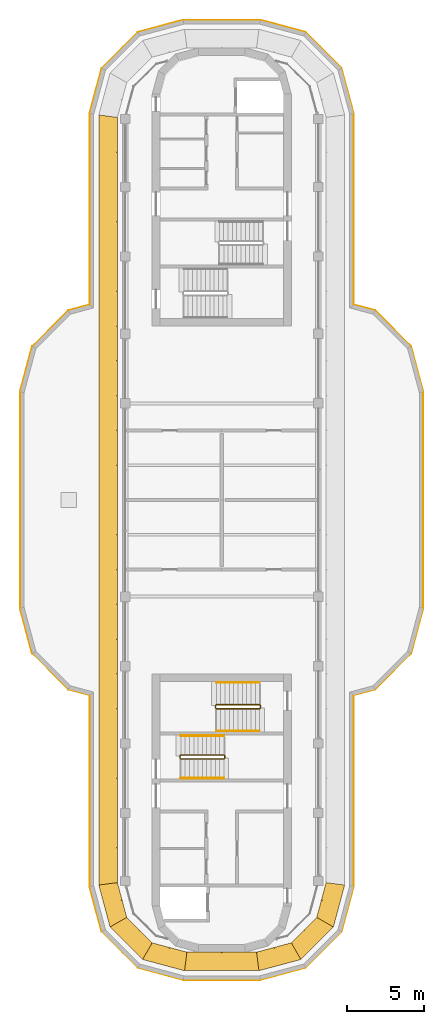
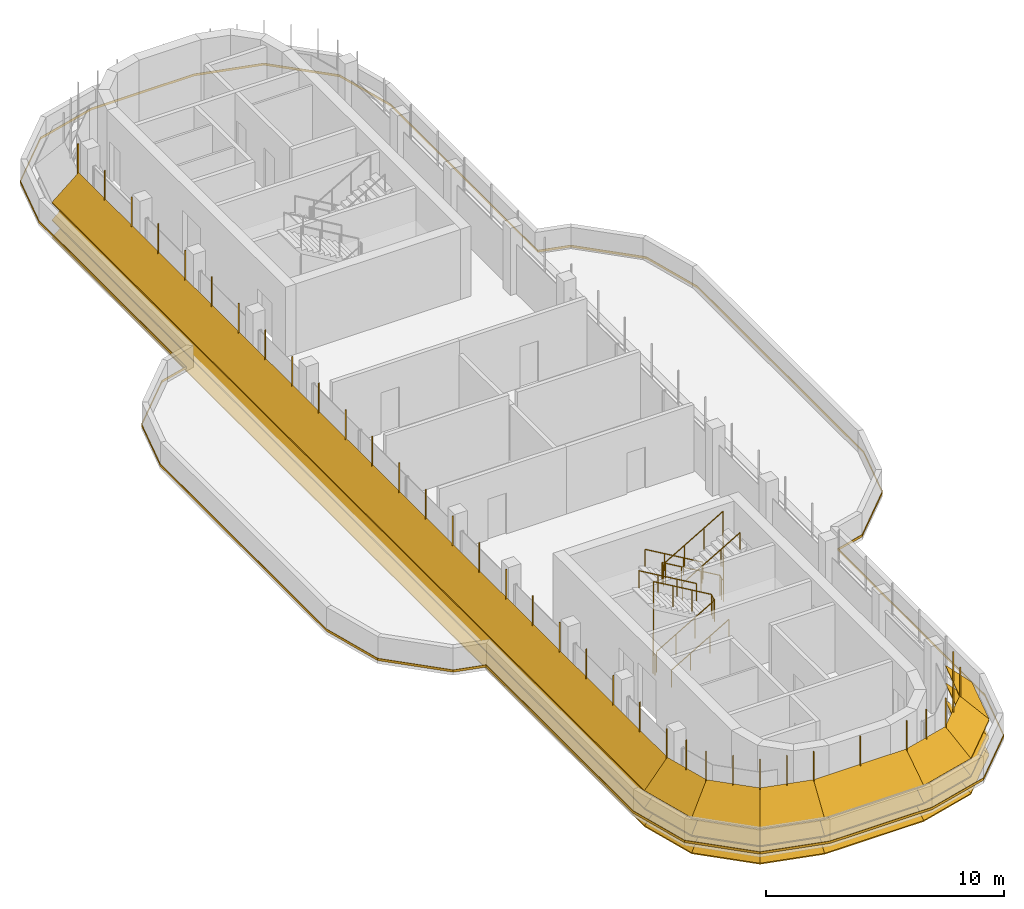
# One storey, part 11 of 12: 6 railings, 4 shading devices, 1 covering.
"""IFC4 building model written with IfcOpenShell, lengths in metres."""

from ifc_helpers import new_model, si_unit, direction, frame, origin, origin_2d, place, context, subcontext, project, spatial, polyline, circle, outline, extrude, faceted_brep, source, transform, mapped, material, layer, layer_set, type_object, element, save


model = new_model("IFC4")

# Units and contexts
model_context = context("Model", 3, precision=1e-05, world=origin(), true_north=direction((0.0, 1.0)))
body_context = subcontext(model_context, "Body", "Model", "MODEL_VIEW")
ifc_project = project(units=[si_unit("LENGTHUNIT", "METRE"), si_unit("AREAUNIT", "SQUARE_METRE"), si_unit("VOLUMEUNIT", "CUBIC_METRE"), si_unit("PLANEANGLEUNIT", "RADIAN"), si_unit("MASSUNIT", "GRAM", prefix="KILO")], contexts=[model_context])

# Site, building, storey
site_placement = place(None, origin())
site = spatial("IfcSite", under=ifc_project, at=site_placement, CompositionType="ELEMENT")
building_placement = place(site_placement, origin())
building = spatial("IfcBuilding", under=site, at=building_placement, Name="Zarbagh Exchange Tower", CompositionType="ELEMENT")
storey_placement = place(building_placement, frame((0.0, 0.0, 306.0)))
storey = spatial("IfcBuildingStorey", under=building, at=storey_placement, Name="L75", CompositionType="ELEMENT", Elevation=306.0)

# Railings
ifc_material_1 = material(Name="Stainless steel", Category="steel")
railing_type_1 = type_object("IfcRailingType", Name="Stair guard 1100 mm", PredefinedType="GUARDRAIL", material=ifc_material_1)
railing_1_placement = place(storey_placement, frame((-2.64990234375, -16.75, 0.16357421875)))
element("IfcRailing", 1, at=railing_1_placement, inside=storey, type_object=railing_type_1, Name="ST3 stair guard 1", PredefinedType="GUARDRAIL", context=body_context, shape_type="SweptSolid", body=[
    extrude(circle(Radius=0.02392578125, at=origin_2d()), frame((0.0, 0.0, 1.076171875), z_axis=(0.863341702679, 0.0, 0.504619762213), x_axis=(0.0, 1.0, 0.0)), (0.0, 0.0, 1.0), 3.242919921875),
    extrude(circle(Radius=0.02392578125, at=origin_2d()), frame((2.7998046875, 0.0, 2.71240234375), z_axis=(0.707106781187, 0.707106781187, 0.0), x_axis=(-0.707106781187, 0.707106781187, 0.0)), (0.0, 0.0, 1.0), 0.07080078125),
    extrude(circle(Radius=0.02392578125, at=origin_2d()), frame((2.849853515625, 0.050048828125, 2.71240234375), z_axis=(0.0, 1.0, 0.0), x_axis=(-1.0, 0.0, 0.0)), (0.0, 0.0, 1.0), 0.14990234375),
    extrude(circle(Radius=0.02392578125, at=origin_2d()), frame((2.849853515625, 0.199951171875, 2.71240234375), z_axis=(-0.280808744504, 0.280808744504, 0.917765164963), x_axis=(-0.707106781187, -0.707106781187, 0.0)), (0.0, 0.0, 1.0), 0.17822265625),
    extrude(circle(Radius=0.02392578125, at=origin_2d()), frame((2.7998046875, 0.25, 2.8759765625), z_axis=(-0.863341702679, 0.0, 0.504619762213), x_axis=(0.0, -1.0, 0.0)), (0.0, 0.0, 1.0), 3.242919921875),
    extrude(circle(Radius=0.02392578125, at=origin_2d()), frame((0.0, 0.25, 4.5126953125), z_axis=(-0.013899389096, -0.013899389096, -0.999806788317), x_axis=(0.707106781187, -0.707106781187, 0.0)), (0.0, 0.0, 1.0), 3.600830078125),
    extrude(circle(Radius=0.02392578125, at=origin_2d()), frame((-0.050048828125, 0.199951171875, 0.91259765625), z_axis=(0.0, -1.0, 0.0), x_axis=(1.0, 0.0, 0.0)), (0.0, 0.0, 1.0), 0.14990234375),
    extrude(circle(Radius=0.02099609375, at=origin_2d()), origin(), (0.0, 0.0, 1.0), 1.052001953125),
    extrude(circle(Radius=0.02099609375, at=origin_2d()), frame((0.933349609375, 0.0, 0.54541015625)), (0.0, 0.0, 1.0), 1.052001953125),
    extrude(circle(Radius=0.02099609375, at=origin_2d()), frame((1.866455078125, 0.0, 1.091064453125)), (0.0, 0.0, 1.0), 1.052001953125),
    extrude(circle(Radius=0.02099609375, at=origin_2d()), frame((2.7998046875, 0.0, 1.636474609375)), (0.0, 0.0, 1.0), 1.052001953125),
    extrude(circle(Radius=0.02099609375, at=origin_2d()), frame((2.849853515625, 0.050048828125, 1.636474609375)), (0.0, 0.0, 1.0), 1.052001953125),
    extrude(circle(Radius=0.02099609375, at=origin_2d()), frame((2.849853515625, 0.199951171875, 1.636474609375)), (0.0, 0.0, 1.0), 1.052001953125),
    extrude(circle(Radius=0.02099609375, at=origin_2d()), frame((2.7998046875, 0.25, 1.800048828125)), (0.0, 0.0, 1.0), 1.052001953125),
    extrude(circle(Radius=0.02099609375, at=origin_2d()), frame((1.866455078125, 0.25, 2.345458984375)), (0.0, 0.0, 1.0), 1.052001953125),
    extrude(circle(Radius=0.02099609375, at=origin_2d()), frame((0.933349609375, 0.25, 2.89111328125)), (0.0, 0.0, 1.0), 1.052001953125),
    extrude(circle(Radius=0.02099609375, at=origin_2d()), frame((0.0, 0.25, 3.4365234375)), (0.0, 0.0, 1.0), 1.052001953125),
    extrude(circle(Radius=0.02099609375, at=origin_2d()), frame((-0.012451171875, 0.237548828125, 2.53662109375)), (0.0, 0.0, 1.0), 1.052001953125),
    extrude(circle(Radius=0.02099609375, at=origin_2d()), frame((-0.02490234375, 0.22509765625, 1.636474609375)), (0.0, 0.0, 1.0), 1.052001953125),
    extrude(circle(Radius=0.02099609375, at=origin_2d()), frame((-0.03759765625, 0.21240234375, 0.736328125)), (0.0, 0.0, 1.0), 1.052001953125),
    extrude(circle(Radius=0.02099609375, at=origin_2d()), frame((-0.050048828125, 0.199951171875, -0.16357421875)), (0.0, 0.0, 1.0), 1.052001953125),
    extrude(circle(Radius=0.02099609375, at=origin_2d()), frame((-0.050048828125, 0.050048828125, -0.16357421875)), (0.0, 0.0, 1.0), 1.052001953125),
])
railing_2_placement = place(storey_placement, frame((-0.35009765625, -13.5, 1.963623046875)))
element("IfcRailing", 2, at=railing_2_placement, inside=storey, type_object=railing_type_1, Name="ST4 stair guard 1", PredefinedType="GUARDRAIL", context=body_context, shape_type="SweptSolid", body=[
    extrude(circle(Radius=0.02392578125, at=origin_2d()), frame((0.0, 0.0, 1.076171875), z_axis=(0.863360870873, 0.0, 0.504586966384), x_axis=(0.0, 1.0, 0.0)), (0.0, 0.0, 1.0), 3.2431640625),
    extrude(circle(Radius=0.02392578125, at=origin_2d()), frame((2.800048828125, 0.0, 2.71240234375), z_axis=(0.013899389096, 0.013899389096, -0.999806788317), x_axis=(-0.707106781187, 0.707106781187, 0.0)), (0.0, 0.0, 1.0), 3.600830078125),
    extrude(circle(Radius=0.02392578125, at=origin_2d()), frame((2.85009765625, 0.050048828125, -0.8876953125), z_axis=(0.0, 1.0, 0.0), x_axis=(-1.0, 0.0, 0.0)), (0.0, 0.0, 1.0), 0.14990234375),
    extrude(circle(Radius=0.02392578125, at=origin_2d()), frame((2.85009765625, 0.199951171875, -0.8876953125), z_axis=(-0.280808744504, 0.280808744504, 0.917765164963), x_axis=(-0.707106781187, -0.707106781187, 0.0)), (0.0, 0.0, 1.0), 0.17822265625),
    extrude(circle(Radius=0.02392578125, at=origin_2d()), frame((2.800048828125, 0.25, -0.72412109375), z_axis=(-0.863360870873, 0.0, 0.504586966384), x_axis=(0.0, -1.0, 0.0)), (0.0, 0.0, 1.0), 3.2431640625),
    extrude(circle(Radius=0.02392578125, at=origin_2d()), frame((0.0, 0.25, 0.91259765625), z_axis=(-0.705375805398, -0.708833529934, 0.0), x_axis=(0.708833529934, -0.705375805398, 0.0)), (0.0, 0.0, 1.0), 0.070556640625),
    extrude(circle(Radius=0.02392578125, at=origin_2d()), frame((-0.0498046875, 0.199951171875, 0.91259765625), z_axis=(0.0, -1.0, 0.0), x_axis=(1.0, 0.0, 0.0)), (0.0, 0.0, 1.0), 0.14990234375),
    extrude(circle(Radius=0.02099609375, at=origin_2d()), origin(), (0.0, 0.0, 1.0), 1.052001953125),
    extrude(circle(Radius=0.02099609375, at=origin_2d()), frame((0.933349609375, 0.0, 0.54541015625)), (0.0, 0.0, 1.0), 1.052001953125),
    extrude(circle(Radius=0.02099609375, at=origin_2d()), frame((1.86669921875, 0.0, 1.091064453125)), (0.0, 0.0, 1.0), 1.052001953125),
    extrude(circle(Radius=0.02099609375, at=origin_2d()), frame((2.800048828125, 0.0, 1.636474609375)), (0.0, 0.0, 1.0), 1.052001953125),
    extrude(circle(Radius=0.02099609375, at=origin_2d()), frame((2.8125, 0.012451171875, 0.736328125)), (0.0, 0.0, 1.0), 1.052001953125),
    extrude(circle(Radius=0.02099609375, at=origin_2d()), frame((2.8251953125, 0.02490234375, -0.16357421875)), (0.0, 0.0, 1.0), 1.052001953125),
    extrude(circle(Radius=0.02099609375, at=origin_2d()), frame((2.837646484375, 0.03759765625, -1.0634765625)), (0.0, 0.0, 1.0), 1.052001953125),
    extrude(circle(Radius=0.02099609375, at=origin_2d()), frame((2.85009765625, 0.050048828125, -1.963623046875)), (0.0, 0.0, 1.0), 1.052001953125),
    extrude(circle(Radius=0.02099609375, at=origin_2d()), frame((2.85009765625, 0.199951171875, -1.963623046875)), (0.0, 0.0, 1.0), 1.052001953125),
    extrude(circle(Radius=0.02099609375, at=origin_2d()), frame((2.800048828125, 0.25, -1.800048828125)), (0.0, 0.0, 1.0), 1.052001953125),
    extrude(circle(Radius=0.02099609375, at=origin_2d()), frame((1.86669921875, 0.25, -1.254638671875)), (0.0, 0.0, 1.0), 1.052001953125),
    extrude(circle(Radius=0.02099609375, at=origin_2d()), frame((0.933349609375, 0.25, -0.708984375)), (0.0, 0.0, 1.0), 1.052001953125),
    extrude(circle(Radius=0.02099609375, at=origin_2d()), frame((0.0, 0.25, -0.16357421875)), (0.0, 0.0, 1.0), 1.052001953125),
    extrude(circle(Radius=0.02099609375, at=origin_2d()), frame((-0.0498046875, 0.199951171875, -0.16357421875)), (0.0, 0.0, 1.0), 1.052001953125),
    extrude(circle(Radius=0.02099609375, at=origin_2d()), frame((-0.0498046875, 0.050048828125, -0.16357421875)), (0.0, 0.0, 1.0), 1.052001953125),
])
railing_type_2 = type_object("IfcRailingType", Name="Stair handrail 900 mm", PredefinedType="HANDRAIL", material=ifc_material_1)
railing_3_placement = place(storey_placement, frame((-2.64990234375, -18.0, 0.16357421875)))
element("IfcRailing", 3, at=railing_3_placement, inside=storey, type_object=railing_type_2, Name="ST3 stair handrail 1", PredefinedType="HANDRAIL", context=body_context, shape_type="SweptSolid", body=[
    extrude(circle(Radius=0.02392578125, at=origin_2d()), frame((0.0, 0.0, 0.8759765625), z_axis=(0.863341702679, 0.0, 0.504619762213), x_axis=(0.0, 1.0, 0.0)), (0.0, 0.0, 1.0), 3.242919921875),
    extrude(circle(Radius=0.02099609375, at=origin_2d()), origin(), (0.0, 0.0, 1.0), 0.851806640625),
    extrude(circle(Radius=0.02099609375, at=origin_2d()), frame((0.933349609375, 0.0, 0.54541015625)), (0.0, 0.0, 1.0), 0.851806640625),
    extrude(circle(Radius=0.02099609375, at=origin_2d()), frame((1.866455078125, 0.0, 1.091064453125)), (0.0, 0.0, 1.0), 0.851806640625),
    extrude(circle(Radius=0.02099609375, at=origin_2d()), frame((2.7998046875, 0.0, 1.636474609375)), (0.0, 0.0, 1.0), 0.851806640625),
])
railing_4_placement = place(storey_placement, frame((0.14990234375, -15.25, 1.963623046875)))
element("IfcRailing", 4, at=railing_4_placement, inside=storey, type_object=railing_type_2, Name="ST3 stair handrail 2", PredefinedType="HANDRAIL", context=body_context, shape_type="SweptSolid", body=[
    extrude(circle(Radius=0.02392578125, at=origin_2d()), frame((0.0, 0.0, 0.8759765625), z_axis=(-0.863341702679, 0.0, 0.504619762213), x_axis=(0.0, -1.0, 0.0)), (0.0, 0.0, 1.0), 3.242919921875),
    extrude(circle(Radius=0.02099609375, at=origin_2d()), origin(), (0.0, 0.0, 1.0), 0.851806640625),
    extrude(circle(Radius=0.02099609375, at=origin_2d()), frame((-0.933349609375, 0.0, 0.54541015625)), (0.0, 0.0, 1.0), 0.851806640625),
    extrude(circle(Radius=0.02099609375, at=origin_2d()), frame((-1.866455078125, 0.0, 1.091064453125)), (0.0, 0.0, 1.0), 0.851806640625),
    extrude(circle(Radius=0.02099609375, at=origin_2d()), frame((-2.7998046875, 0.0, 1.636474609375)), (0.0, 0.0, 1.0), 0.851806640625),
])
railing_5_placement = place(storey_placement, frame((2.449951171875, -11.800048828125, 0.16357421875)))
element("IfcRailing", 5, at=railing_5_placement, inside=storey, type_object=railing_type_2, Name="ST4 stair handrail 1", PredefinedType="HANDRAIL", context=body_context, shape_type="SweptSolid", body=[
    extrude(circle(Radius=0.02392578125, at=origin_2d()), frame((0.0, 0.0, 0.8759765625), z_axis=(-0.863360870873, 0.0, 0.504586966384), x_axis=(0.0, -1.0, 0.0)), (0.0, 0.0, 1.0), 3.2431640625),
    extrude(circle(Radius=0.02099609375, at=origin_2d()), origin(), (0.0, 0.0, 1.0), 0.851806640625),
    extrude(circle(Radius=0.02099609375, at=origin_2d()), frame((-0.933349609375, 0.0, 0.54541015625)), (0.0, 0.0, 1.0), 0.851806640625),
    extrude(circle(Radius=0.02099609375, at=origin_2d()), frame((-1.86669921875, 0.0, 1.091064453125)), (0.0, 0.0, 1.0), 0.851806640625),
    extrude(circle(Radius=0.02099609375, at=origin_2d()), frame((-2.800048828125, 0.0, 1.636474609375)), (0.0, 0.0, 1.0), 0.851806640625),
])
railing_6_placement = place(storey_placement, frame((-0.35009765625, -14.949951171875, 1.963623046875)))
element("IfcRailing", 6, at=railing_6_placement, inside=storey, type_object=railing_type_2, Name="ST4 stair handrail 2", PredefinedType="HANDRAIL", context=body_context, shape_type="SweptSolid", body=[
    extrude(circle(Radius=0.02392578125, at=origin_2d()), frame((0.0, 0.0, 0.8759765625), z_axis=(0.863360870873, 0.0, 0.504586966384), x_axis=(0.0, 1.0, 0.0)), (0.0, 0.0, 1.0), 3.2431640625),
    extrude(circle(Radius=0.02099609375, at=origin_2d()), origin(), (0.0, 0.0, 1.0), 0.851806640625),
    extrude(circle(Radius=0.02099609375, at=origin_2d()), frame((0.933349609375, 0.0, 0.54541015625)), (0.0, 0.0, 1.0), 0.851806640625),
    extrude(circle(Radius=0.02099609375, at=origin_2d()), frame((1.86669921875, 0.0, 1.091064453125)), (0.0, 0.0, 1.0), 0.851806640625),
    extrude(circle(Radius=0.02099609375, at=origin_2d()), frame((2.800048828125, 0.0, 1.636474609375)), (0.0, 0.0, 1.0), 0.851806640625),
])

# Covering
ifc_material_2 = material(Name="Bituminous membrane and screed")
ifc_layer = layer(ifc_material_2, 0.1201171875)
ifc_layer_set = layer_set([ifc_layer], Name="Terrace roofing build-up, waterproofing and screed")
covering_type = type_object("IfcCoveringType", Name="Terrace roofing build-up, waterproofing and screed", PredefinedType="ROOFING", material=ifc_layer_set)
covering_placement = place(storey_placement, origin())
element("IfcCovering", 7, at=covering_placement, inside=storey, type_object=covering_type, Name="crown roofing", PredefinedType="ROOFING", context=body_context, shape_type="SweptSolid", body=[
    extrude(outline(polyline([(-5.431640625, -30.260986328125), (-7.760986328125, -27.931640625), (-8.550048828125, -24.987060546875), (-8.550048828125, -12.631103515625), (-9.931640625, -12.260986328125), (-12.260986328125, -9.931640625), (-13.050048828125, -6.987060546875), (-13.050048828125, 6.987060546875), (-12.260986328125, 9.931640625), (-9.931640625, 12.260986328125), (-8.550048828125, 12.631103515625), (-8.550048828125, 24.987060546875), (-7.760986328125, 27.931640625), (-5.431640625, 30.260986328125), (-2.487060546875, 31.050048828125), (2.487060546875, 31.050048828125), (5.431640625, 30.260986328125), (7.760986328125, 27.931640625), (8.550048828125, 24.987060546875), (8.550048828125, 12.631103515625), (9.931640625, 12.260986328125), (12.260986328125, 9.931640625), (13.050048828125, 6.987060546875), (13.050048828125, -6.987060546875), (12.260986328125, -9.931640625), (9.931640625, -12.260986328125), (8.550048828125, -12.631103515625), (8.550048828125, -24.987060546875), (7.760986328125, -27.931640625), (5.431640625, -30.260986328125), (2.487060546875, -31.050048828125), (-2.487060546875, -31.050048828125), (-5.431640625, -30.260986328125)]), holes=[polyline([(-8.530029296875, -24.984375), (-7.742919921875, -27.92138671875), (-5.42138671875, -30.242919921875), (-2.484375, -31.030029296875), (2.484375, -31.030029296875), (5.42138671875, -30.242919921875), (7.742919921875, -27.92138671875), (8.530029296875, -24.984375), (8.530029296875, -12.61572265625), (9.92138671875, -12.242919921875), (12.242919921875, -9.92138671875), (13.030029296875, -6.984375), (13.030029296875, 6.984375), (12.242919921875, 9.92138671875), (9.92138671875, 12.242919921875), (8.530029296875, 12.61572265625), (8.530029296875, 24.984375), (7.742919921875, 27.92138671875), (5.42138671875, 30.242919921875), (2.484375, 31.030029296875), (-2.484375, 31.030029296875), (-5.42138671875, 30.242919921875), (-7.742919921875, 27.92138671875), (-8.530029296875, 24.984375), (-8.530029296875, 12.61572265625), (-9.92138671875, 12.242919921875), (-12.242919921875, 9.92138671875), (-13.030029296875, 6.984375), (-13.030029296875, -6.984375), (-12.242919921875, -9.92138671875), (-9.92138671875, -12.242919921875), (-8.530029296875, -12.61572265625), (-8.530029296875, -24.984375)])]), origin(), (0.0, 0.0, 1.0), 0.1201171875),
])

# Shading devices
ifc_material_3 = material(Name="Anodised aluminium blades and brackets", Category="aluminium")
shading_device_type = type_object("IfcShadingDeviceType", Name="SUNSHADE louvre band, 45 degree blades", PredefinedType="JALOUSIE", material=ifc_material_3)
shared_shape_1 = source(origin(), body_context, "Body", "Brep", [
    faceted_brep([(0.0, 0.0, 0.0), (0.0, 0.0, -0.056640625), (-0.157958984375, -1.199951171875, -1.256591796875), (-0.157958984375, -1.199951171875, -1.199951171875), (2.65087890625, -1.199951171875, -1.199951171875), (2.65087890625, -1.199951171875, -1.256591796875), (2.329345703125, 0.0, -0.056640625), (2.329345703125, 0.0, 0.0)], [[[0, 1, 2, 3]], [[4, 5, 6, 7]], [[0, 7, 6, 1]], [[1, 6, 5, 2]], [[2, 5, 4, 3]], [[3, 4, 7, 0]]]),
])
shared_shape_2 = source(origin(), body_context, "Body", "Brep", [
    faceted_brep([(0.0, 0.0, 0.0), (0.0, 0.0, -0.056640625), (-0.321533203125, -1.199951171875, -1.256591796875), (-0.321533203125, -1.199951171875, -1.199951171875), (2.65087890625, -1.199951171875, -1.199951171875), (2.65087890625, -1.199951171875, -1.256591796875), (2.329345703125, 0.0, -0.056640625), (2.329345703125, 0.0, 0.0)], [[[0, 1, 2, 3]], [[4, 5, 6, 7]], [[0, 7, 6, 1]], [[1, 6, 5, 2]], [[2, 5, 4, 3]], [[3, 4, 7, 0]]]),
])
shared_shape_3 = source(origin(), body_context, "Body", "Brep", [
    faceted_brep([(0.0, 0.0, 0.0), (0.0, 0.0, -0.056640625), (-0.321533203125, -1.199951171875, -1.256591796875), (-0.321533203125, -1.199951171875, -1.199951171875), (2.4873046875, -1.199951171875, -1.199951171875), (2.4873046875, -1.199951171875, -1.256591796875), (2.329345703125, 0.0, -0.056640625), (2.329345703125, 0.0, 0.0)], [[[0, 1, 2, 3]], [[4, 5, 6, 7]], [[0, 7, 6, 1]], [[1, 6, 5, 2]], [[2, 5, 4, 3]], [[3, 4, 7, 0]]]),
])
shared_shape_4 = source(origin(), body_context, "Body", "SweptSolid", [
    extrude(outline(polyline([(0.0, -0.012451171875), (0.06005859375, -0.012451171875), (0.06005859375, 0.012451171875), (0.0, 0.012451171875), (0.0, -0.012451171875)])), origin(), (0.0, 0.0, 1.0), 3.366455078125),
])
placement = place(storey_placement, origin())
element("IfcShadingDevice", 8, at=placement, inside=storey, type_object=shading_device_type, Name="SS55 sunshade band", PredefinedType="JALOUSIE", context=body_context, shape_type="MappedRepresentation", body=[
    mapped(shared_shape_1, transform((2.25, -29.25, 2.10009765625), x_axis=(0.965924289636, 0.258824779902, 0.0), y_axis=(-0.258824779902, 0.965924289636, 0.0), z_axis=(0.0, 0.0, 1.0))),
    mapped(shared_shape_1, transform((2.25, -29.25, 1.199951171875), x_axis=(0.965924289636, 0.258824779902, 0.0), y_axis=(-0.258824779902, 0.965924289636, 0.0), z_axis=(0.0, 0.0, 1.0))),
    mapped(shared_shape_1, transform((2.25, -29.25, 0.300048828125), x_axis=(0.965924289636, 0.258824779902, 0.0), y_axis=(-0.258824779902, 0.965924289636, 0.0), z_axis=(0.0, 0.0, 1.0))),
    mapped(shared_shape_2, transform((4.5, -28.647216796875, 2.10009765625), x_axis=(0.707106781187, 0.707106781187, 0.0), y_axis=(-0.707106781187, 0.707106781187, 0.0), z_axis=(0.0, 0.0, 1.0))),
    mapped(shared_shape_2, transform((4.5, -28.647216796875, 1.199951171875), x_axis=(0.707106781187, 0.707106781187, 0.0), y_axis=(-0.707106781187, 0.707106781187, 0.0), z_axis=(0.0, 0.0, 1.0))),
    mapped(shared_shape_2, transform((4.5, -28.647216796875, 0.300048828125), x_axis=(0.707106781187, 0.707106781187, 0.0), y_axis=(-0.707106781187, 0.707106781187, 0.0), z_axis=(0.0, 0.0, 1.0))),
    mapped(shared_shape_3, transform((6.147216796875, -27.0, 2.10009765625), x_axis=(0.258824779902, 0.965924289636, 0.0), y_axis=(-0.965924289636, 0.258824779902, 0.0), z_axis=(0.0, 0.0, 1.0))),
    mapped(shared_shape_3, transform((6.147216796875, -27.0, 1.199951171875), x_axis=(0.258824779902, 0.965924289636, 0.0), y_axis=(-0.965924289636, 0.258824779902, 0.0), z_axis=(0.0, 0.0, 1.0))),
    mapped(shared_shape_3, transform((6.147216796875, -27.0, 0.300048828125), x_axis=(0.258824779902, 0.965924289636, 0.0), y_axis=(-0.965924289636, 0.258824779902, 0.0), z_axis=(0.0, 0.0, 1.0))),
    mapped(shared_shape_4, transform((2.25, -29.25, 0.21337890625), x_axis=(0.130529263012, -0.991444457092, 0.0), y_axis=(0.991444457092, 0.130529263012, 0.0), z_axis=(0.0, 0.0, 1.0))),
    mapped(shared_shape_4, transform((3.375, -28.948486328125, 0.21337890625), x_axis=(0.258825058029, -0.96592421511, 0.0), y_axis=(0.96592421511, 0.258825058029, 0.0), z_axis=(0.0, 0.0, 1.0))),
    mapped(shared_shape_4, transform((4.5, -28.647216796875, 0.21337890625), x_axis=(0.50000275701, -0.866023812018, 0.0), y_axis=(0.866023812018, 0.50000275701, 0.0), z_axis=(0.0, 0.0, 1.0))),
    mapped(shared_shape_4, transform((5.323486328125, -27.823486328125, 0.21337890625), x_axis=(0.707106781187, -0.707106781187, 0.0), y_axis=(0.707106781187, 0.707106781187, 0.0), z_axis=(0.0, 0.0, 1.0))),
    mapped(shared_shape_4, transform((6.147216796875, -27.0, 0.21337890625), x_axis=(0.866023812018, -0.50000275701, 0.0), y_axis=(0.50000275701, 0.866023812018, 0.0), z_axis=(0.0, 0.0, 1.0))),
    mapped(shared_shape_4, transform((6.448486328125, -25.875, 0.21337890625), x_axis=(0.96592421511, -0.258825058029, 0.0), y_axis=(0.258825058029, 0.96592421511, 0.0), z_axis=(0.0, 0.0, 1.0))),
])
element("IfcShadingDevice", 9, at=placement, inside=storey, type_object=shading_device_type, Name="SS68 sunshade band", PredefinedType="JALOUSIE", context=body_context, shape_type="MappedRepresentation", body=[
    mapped(shared_shape_1, transform((-6.75, -24.75, 2.10009765625), x_axis=(0.258824779902, -0.965924289636, 0.0), y_axis=(0.965924289636, 0.258824779902, 0.0), z_axis=(0.0, 0.0, 1.0))),
    mapped(shared_shape_1, transform((-6.75, -24.75, 1.199951171875), x_axis=(0.258824779902, -0.965924289636, 0.0), y_axis=(0.965924289636, 0.258824779902, 0.0), z_axis=(0.0, 0.0, 1.0))),
    mapped(shared_shape_1, transform((-6.75, -24.75, 0.300048828125), x_axis=(0.258824779902, -0.965924289636, 0.0), y_axis=(0.965924289636, 0.258824779902, 0.0), z_axis=(0.0, 0.0, 1.0))),
    mapped(shared_shape_2, transform((-6.147216796875, -27.0, 2.10009765625), x_axis=(0.707106781187, -0.707106781187, 0.0), y_axis=(0.707106781187, 0.707106781187, 0.0), z_axis=(0.0, 0.0, 1.0))),
    mapped(shared_shape_2, transform((-6.147216796875, -27.0, 1.199951171875), x_axis=(0.707106781187, -0.707106781187, 0.0), y_axis=(0.707106781187, 0.707106781187, 0.0), z_axis=(0.0, 0.0, 1.0))),
    mapped(shared_shape_2, transform((-6.147216796875, -27.0, 0.300048828125), x_axis=(0.707106781187, -0.707106781187, 0.0), y_axis=(0.707106781187, 0.707106781187, 0.0), z_axis=(0.0, 0.0, 1.0))),
    mapped(shared_shape_3, transform((-4.5, -28.647216796875, 2.10009765625), x_axis=(0.965924289636, -0.258824779902, 0.0), y_axis=(0.258824779902, 0.965924289636, 0.0), z_axis=(0.0, 0.0, 1.0))),
    mapped(shared_shape_3, transform((-4.5, -28.647216796875, 1.199951171875), x_axis=(0.965924289636, -0.258824779902, 0.0), y_axis=(0.258824779902, 0.965924289636, 0.0), z_axis=(0.0, 0.0, 1.0))),
    mapped(shared_shape_3, transform((-4.5, -28.647216796875, 0.300048828125), x_axis=(0.965924289636, -0.258824779902, 0.0), y_axis=(0.258824779902, 0.965924289636, 0.0), z_axis=(0.0, 0.0, 1.0))),
    mapped(shared_shape_4, transform((-6.75, -24.75, 0.21337890625), x_axis=(-0.991444457092, -0.130529263012, 0.0), y_axis=(0.130529263012, -0.991444457092, 0.0), z_axis=(0.0, 0.0, 1.0))),
    mapped(shared_shape_4, transform((-6.448486328125, -25.875, 0.21337890625), x_axis=(-0.96592421511, -0.258825058029, 0.0), y_axis=(0.258825058029, -0.96592421511, 0.0), z_axis=(0.0, 0.0, 1.0))),
    mapped(shared_shape_4, transform((-6.147216796875, -27.0, 0.21337890625), x_axis=(-0.866023812018, -0.50000275701, 0.0), y_axis=(0.50000275701, -0.866023812018, 0.0), z_axis=(0.0, 0.0, 1.0))),
    mapped(shared_shape_4, transform((-5.323486328125, -27.823486328125, 0.21337890625), x_axis=(-0.707106781187, -0.707106781187, 0.0), y_axis=(0.707106781187, -0.707106781187, 0.0), z_axis=(0.0, 0.0, 1.0))),
    mapped(shared_shape_4, transform((-4.5, -28.647216796875, 0.21337890625), x_axis=(-0.50000275701, -0.866023812018, 0.0), y_axis=(0.866023812018, -0.50000275701, 0.0), z_axis=(0.0, 0.0, 1.0))),
    mapped(shared_shape_4, transform((-3.375, -28.948486328125, 0.21337890625), x_axis=(-0.258825058029, -0.96592421511, 0.0), y_axis=(0.96592421511, -0.258825058029, 0.0), z_axis=(0.0, 0.0, 1.0))),
])
shared_shape_5 = source(origin(), body_context, "Body", "Brep", [
    faceted_brep([(0.0, 0.0, 0.0), (0.0, 0.0, -0.056640625), (-0.157958984375, -1.199951171875, -1.256591796875), (-0.157958984375, -1.199951171875, -1.199951171875), (49.657958984375, -1.199951171875, -1.199951171875), (49.657958984375, -1.199951171875, -1.256591796875), (49.5, 0.0, -0.056640625), (49.5, 0.0, 0.0)], [[[0, 1, 2, 3]], [[4, 5, 6, 7]], [[0, 7, 6, 1]], [[1, 6, 5, 2]], [[2, 5, 4, 3]], [[3, 4, 7, 0]]]),
])
element("IfcShadingDevice", 10, at=placement, inside=storey, type_object=shading_device_type, Name="SS73 sunshade band", PredefinedType="JALOUSIE", context=body_context, shape_type="MappedRepresentation", body=[
    mapped(shared_shape_5, transform((-6.75, 24.75, 2.10009765625), x_axis=(0.0, -1.0, 0.0), y_axis=(1.0, 0.0, 0.0), z_axis=(0.0, 0.0, 1.0))),
    mapped(shared_shape_5, transform((-6.75, 24.75, 1.199951171875), x_axis=(0.0, -1.0, 0.0), y_axis=(1.0, 0.0, 0.0), z_axis=(0.0, 0.0, 1.0))),
    mapped(shared_shape_5, transform((-6.75, 24.75, 0.300048828125), x_axis=(0.0, -1.0, 0.0), y_axis=(1.0, 0.0, 0.0), z_axis=(0.0, 0.0, 1.0))),
    mapped(shared_shape_4, transform((-6.75, 24.75, 0.21337890625), x_axis=(-0.991444457092, 0.130529263012, 0.0), y_axis=(-0.130529263012, -0.991444457092, 0.0), z_axis=(0.0, 0.0, 1.0))),
    mapped(shared_shape_4, transform((-6.75, 22.5, 0.21337890625), x_axis=(-1.0, 0.0, 0.0), y_axis=(0.0, -1.0, 0.0), z_axis=(0.0, 0.0, 1.0))),
    mapped(shared_shape_4, transform((-6.75, 20.25, 0.21337890625), x_axis=(-1.0, 0.0, 0.0), y_axis=(0.0, -1.0, 0.0), z_axis=(0.0, 0.0, 1.0))),
    mapped(shared_shape_4, transform((-6.75, 18.0, 0.21337890625), x_axis=(-1.0, 0.0, 0.0), y_axis=(0.0, -1.0, 0.0), z_axis=(0.0, 0.0, 1.0))),
    mapped(shared_shape_4, transform((-6.75, 15.75, 0.21337890625), x_axis=(-1.0, 0.0, 0.0), y_axis=(0.0, -1.0, 0.0), z_axis=(0.0, 0.0, 1.0))),
    mapped(shared_shape_4, transform((-6.75, 13.5, 0.21337890625), x_axis=(-1.0, 0.0, 0.0), y_axis=(0.0, -1.0, 0.0), z_axis=(0.0, 0.0, 1.0))),
    mapped(shared_shape_4, transform((-6.75, 11.25, 0.21337890625), x_axis=(-1.0, 0.0, 0.0), y_axis=(0.0, -1.0, 0.0), z_axis=(0.0, 0.0, 1.0))),
    mapped(shared_shape_4, transform((-6.75, 9.0, 0.21337890625), x_axis=(-1.0, 0.0, 0.0), y_axis=(0.0, -1.0, 0.0), z_axis=(0.0, 0.0, 1.0))),
    mapped(shared_shape_4, transform((-6.75, 6.75, 0.21337890625), x_axis=(-1.0, 0.0, 0.0), y_axis=(0.0, -1.0, 0.0), z_axis=(0.0, 0.0, 1.0))),
    mapped(shared_shape_4, transform((-6.75, 4.5, 0.21337890625), x_axis=(-1.0, 0.0, 0.0), y_axis=(0.0, -1.0, 0.0), z_axis=(0.0, 0.0, 1.0))),
    mapped(shared_shape_4, transform((-6.75, 2.25, 0.21337890625), x_axis=(-1.0, 0.0, 0.0), y_axis=(0.0, -1.0, 0.0), z_axis=(0.0, 0.0, 1.0))),
    mapped(shared_shape_4, transform((-6.75, 0.0, 0.21337890625), x_axis=(-1.0, 0.0, 0.0), y_axis=(0.0, -1.0, 0.0), z_axis=(0.0, 0.0, 1.0))),
    mapped(shared_shape_4, transform((-6.75, -2.25, 0.21337890625), x_axis=(-1.0, 0.0, 0.0), y_axis=(0.0, -1.0, 0.0), z_axis=(0.0, 0.0, 1.0))),
    mapped(shared_shape_4, transform((-6.75, -4.5, 0.21337890625), x_axis=(-1.0, 0.0, 0.0), y_axis=(0.0, -1.0, 0.0), z_axis=(0.0, 0.0, 1.0))),
    mapped(shared_shape_4, transform((-6.75, -6.75, 0.21337890625), x_axis=(-1.0, 0.0, 0.0), y_axis=(0.0, -1.0, 0.0), z_axis=(0.0, 0.0, 1.0))),
    mapped(shared_shape_4, transform((-6.75, -9.0, 0.21337890625), x_axis=(-1.0, 0.0, 0.0), y_axis=(0.0, -1.0, 0.0), z_axis=(0.0, 0.0, 1.0))),
    mapped(shared_shape_4, transform((-6.75, -11.25, 0.21337890625), x_axis=(-1.0, 0.0, 0.0), y_axis=(0.0, -1.0, 0.0), z_axis=(0.0, 0.0, 1.0))),
    mapped(shared_shape_4, transform((-6.75, -13.5, 0.21337890625), x_axis=(-1.0, 0.0, 0.0), y_axis=(0.0, -1.0, 0.0), z_axis=(0.0, 0.0, 1.0))),
    mapped(shared_shape_4, transform((-6.75, -15.75, 0.21337890625), x_axis=(-1.0, 0.0, 0.0), y_axis=(0.0, -1.0, 0.0), z_axis=(0.0, 0.0, 1.0))),
    mapped(shared_shape_4, transform((-6.75, -18.0, 0.21337890625), x_axis=(-1.0, 0.0, 0.0), y_axis=(0.0, -1.0, 0.0), z_axis=(0.0, 0.0, 1.0))),
    mapped(shared_shape_4, transform((-6.75, -20.25, 0.21337890625), x_axis=(-1.0, 0.0, 0.0), y_axis=(0.0, -1.0, 0.0), z_axis=(0.0, 0.0, 1.0))),
    mapped(shared_shape_4, transform((-6.75, -22.5, 0.21337890625), x_axis=(-1.0, 0.0, 0.0), y_axis=(0.0, -1.0, 0.0), z_axis=(0.0, 0.0, 1.0))),
])
shared_shape_6 = source(origin(), body_context, "Body", "Brep", [
    faceted_brep([(0.0, 0.0, 0.0), (0.0, 0.0, -0.056640625), (-0.157958984375, -1.199951171875, -1.256591796875), (-0.157958984375, -1.199951171875, -1.199951171875), (4.657958984375, -1.199951171875, -1.199951171875), (4.657958984375, -1.199951171875, -1.256591796875), (4.5, 0.0, -0.056640625), (4.5, 0.0, 0.0)], [[[0, 1, 2, 3]], [[4, 5, 6, 7]], [[0, 7, 6, 1]], [[1, 6, 5, 2]], [[2, 5, 4, 3]], [[3, 4, 7, 0]]]),
])
element("IfcShadingDevice", 11, at=placement, inside=storey, type_object=shading_device_type, Name="SS69 sunshade band", PredefinedType="JALOUSIE", context=body_context, shape_type="MappedRepresentation", body=[
    mapped(shared_shape_6, transform((-2.25, -29.25, 2.10009765625), x_axis=(1.0, 0.0, 0.0), y_axis=(0.0, 1.0, 0.0), z_axis=(0.0, 0.0, 1.0))),
    mapped(shared_shape_6, transform((-2.25, -29.25, 1.199951171875), x_axis=(1.0, 0.0, 0.0), y_axis=(0.0, 1.0, 0.0), z_axis=(0.0, 0.0, 1.0))),
    mapped(shared_shape_6, transform((-2.25, -29.25, 0.300048828125), x_axis=(1.0, 0.0, 0.0), y_axis=(0.0, 1.0, 0.0), z_axis=(0.0, 0.0, 1.0))),
    mapped(shared_shape_4, transform((-2.25, -29.25, 0.21337890625), x_axis=(-0.130529263012, -0.991444457092, 0.0), y_axis=(0.991444457092, -0.130529263012, 0.0), z_axis=(0.0, 0.0, 1.0))),
    mapped(shared_shape_4, transform((0.0, -29.25, 0.21337890625), x_axis=(0.0, -1.0, 0.0), y_axis=(1.0, 0.0, 0.0), z_axis=(0.0, 0.0, 1.0))),
])

save(model, "model.ifc")
